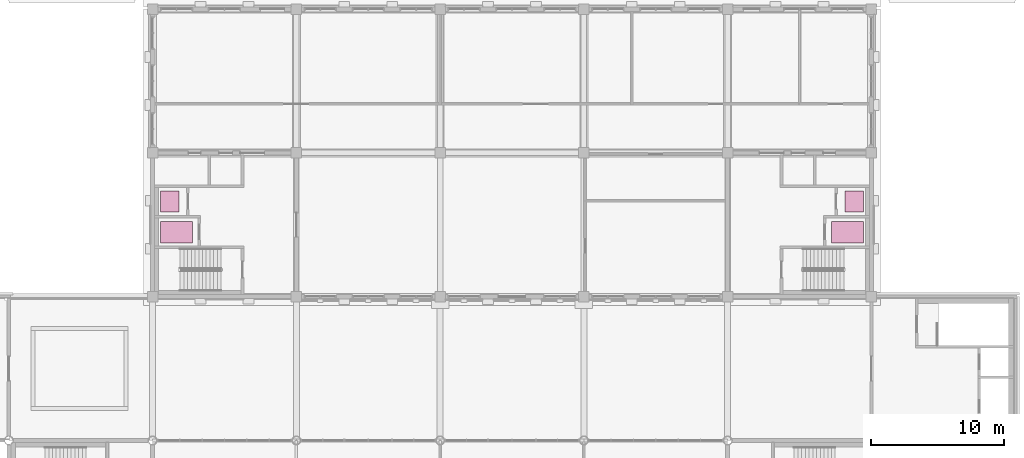
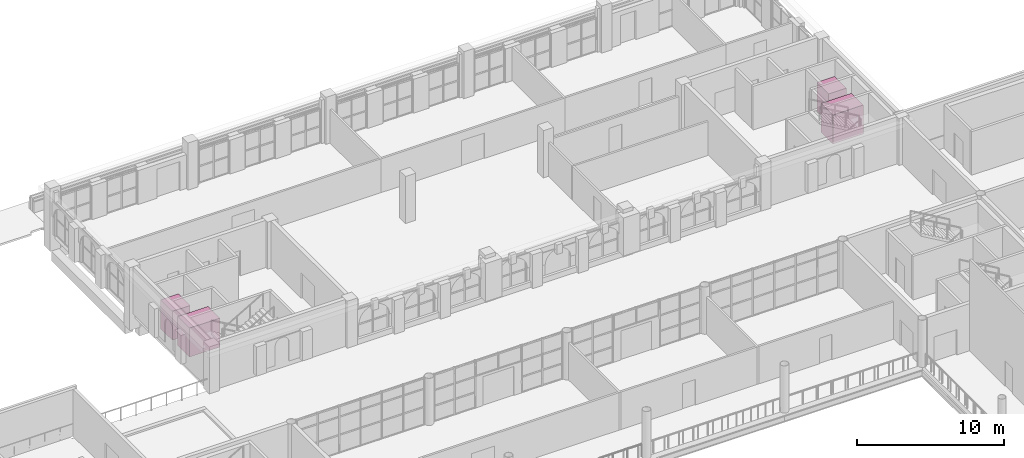
# One storey, part 95 of 95: 4 transport elements.
"""IFC4 building model written with IfcOpenShell, lengths in metres."""

from ifc_helpers import new_model, si_unit, direction, frame, origin, origin_2d, place, context, subcontext, project, spatial, rectangle, extrude, material, type_object, element, save


model = new_model("IFC4")

# Units and contexts
model_context = context("Model", 3, precision=1e-05, world=origin(), true_north=direction((0.0, 1.0)))
body_context = subcontext(model_context, "Body", "Model", "MODEL_VIEW")
ifc_project = project(units=[si_unit("LENGTHUNIT", "METRE"), si_unit("AREAUNIT", "SQUARE_METRE"), si_unit("VOLUMEUNIT", "CUBIC_METRE"), si_unit("PLANEANGLEUNIT", "RADIAN"), si_unit("MASSUNIT", "GRAM", prefix="KILO")], contexts=[model_context])

# Site, building, storey
site_placement = place(None, origin())
site = spatial("IfcSite", under=ifc_project, at=site_placement, CompositionType="ELEMENT")
building_placement = place(site_placement, origin())
building = spatial("IfcBuilding", under=site, at=building_placement, Name="Magnolia Steps Interchange", CompositionType="ELEMENT")
storey_placement = place(building_placement, frame((0.0, 0.0, 4.800048828125)))
storey = spatial("IfcBuildingStorey", under=building, at=storey_placement, Name="L01", CompositionType="ELEMENT", Elevation=4.800048828125)

# Transport elements
ifc_material_1 = material(Name="Stainless steel grade 304", Category="steel")
transport_element_type_1 = type_object("IfcTransportElementType", Name="Fire-fighting lift 1600x2400", PredefinedType="ELEVATOR", material=ifc_material_1)
for number, where, z_axis, x_axis, name in (
    (1, (65.800048828125, 101.25, 0.0), (0.0, 0.0, 1.0), (0.0, 1.0, 0.0), "Lift LF15"),
    (2, (116.199951171875, 101.25, 0.0), (0.0, 0.0, 1.0), (0.0, -1.0, 0.0), "Lift LF18"),
):
    element("IfcTransportElement", number, at=place(storey_placement, frame(where, z_axis=z_axis, x_axis=x_axis)), inside=storey, type_object=transport_element_type_1, Name=name, PredefinedType="ELEVATOR", context=body_context, shape_type="SweptSolid", body=[
        extrude(rectangle(XDim=1.60009765625, YDim=2.39990234375, at=origin_2d()), origin(), (0.0, 0.0, 1.0), 2.39990234375),
    ])
ifc_material_2 = material(Name="Stainless steel grade 304", Category="steel")
transport_element_type_2 = type_object("IfcTransportElementType", Name="Passenger lift 1600x1400", PredefinedType="ELEVATOR", material=ifc_material_2)
for number, where, z_axis, x_axis, name in (
    (3, (65.300048828125, 103.550048828125, 0.0), (0.0, 0.0, 1.0), (0.0, 1.0, 0.0), "Lift LF16"),
    (4, (116.699951171875, 103.550048828125, 0.0), (0.0, 0.0, 1.0), (0.0, -1.0, 0.0), "Lift LF17"),
):
    element("IfcTransportElement", number, at=place(storey_placement, frame(where, z_axis=z_axis, x_axis=x_axis)), inside=storey, type_object=transport_element_type_2, Name=name, PredefinedType="ELEVATOR", context=body_context, shape_type="SweptSolid", body=[
        extrude(rectangle(XDim=1.60009765625, YDim=1.39990234375, at=origin_2d()), origin(), (0.0, 0.0, 1.0), 2.39990234375),
    ])

save(model, "model.ifc")
